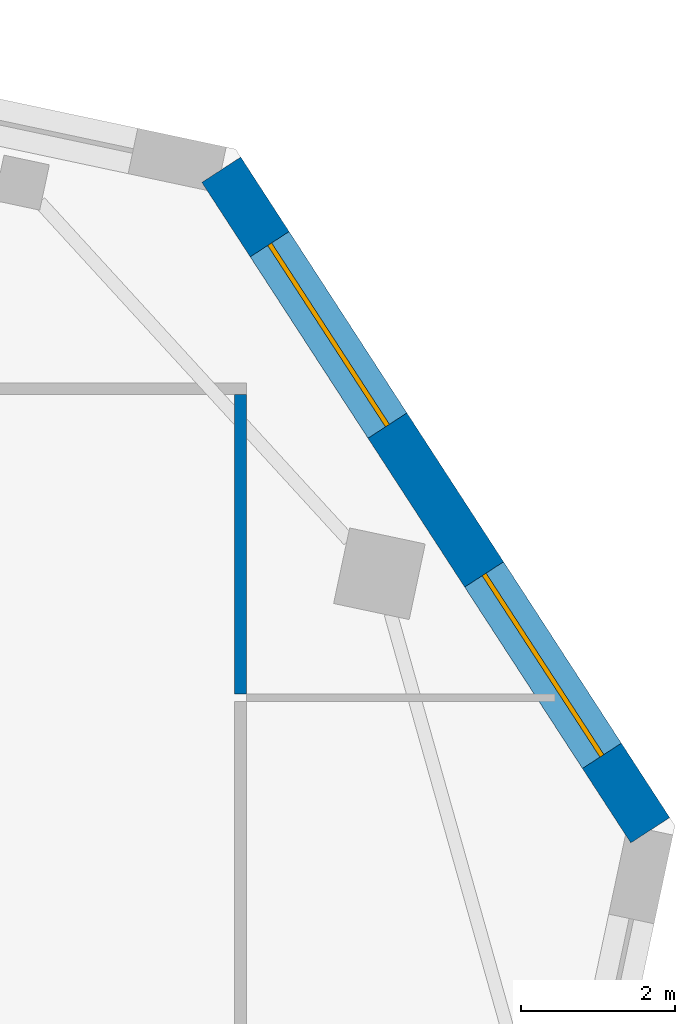
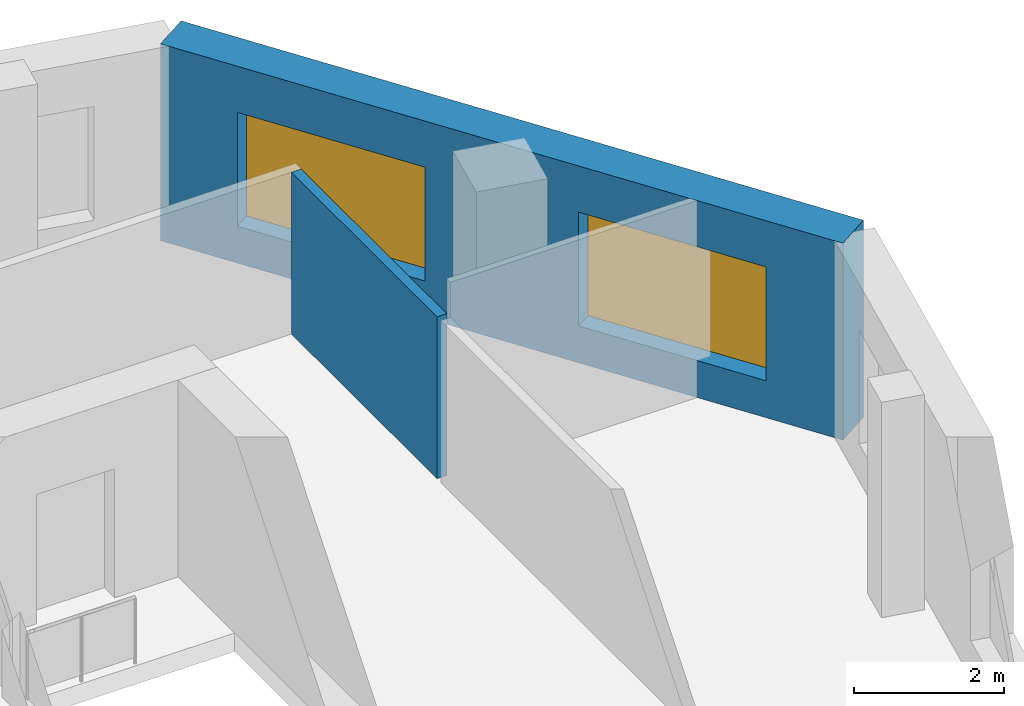
# One storey, part 5 of 6: 2 walls, 2 windows, 2 openings.
"""IFC4 building model written with IfcOpenShell, lengths in metres."""

from ifc_helpers import new_model, si_unit, direction, frame, frame_2d, origin, place, context, subcontext, project, spatial, rectangle, extrude, material, layer, layer_set, type_object, element, fill, save


model = new_model("IFC4")

# Units and contexts
model_context = context("Model", 3, precision=1e-05, world=origin(), true_north=direction((0.0, 1.0)))
body_context = subcontext(model_context, "Body", "Model", "MODEL_VIEW")
ifc_project = project(units=[si_unit("LENGTHUNIT", "METRE"), si_unit("AREAUNIT", "SQUARE_METRE"), si_unit("VOLUMEUNIT", "CUBIC_METRE"), si_unit("PLANEANGLEUNIT", "RADIAN"), si_unit("MASSUNIT", "GRAM", prefix="KILO")], contexts=[model_context])

# Site, building, storey
site_placement = place(None, origin())
site = spatial("IfcSite", under=ifc_project, at=site_placement, CompositionType="ELEMENT")
building_placement = place(site_placement, origin())
building = spatial("IfcBuilding", under=site, at=building_placement, Name="Dilmun Exchange Tower", CompositionType="ELEMENT")
storey_placement = place(building_placement, frame((0.0, 0.0, 373.10009765625)))
storey = spatial("IfcBuildingStorey", under=building, at=storey_placement, Name="Crown L87", CompositionType="ELEMENT", Elevation=373.10009765625)

# Wall
ifc_material_1 = material(Name="Fire partition EI 60 150 gypsum")
ifc_layer_1 = layer(ifc_material_1, 0.14990234375)
ifc_layer_set_1 = layer_set([ifc_layer_1], Name="Fire partition EI 60 150 gypsum")
wall_type_1 = type_object("IfcWallType", Name="Fire partition EI 60 150 gypsum", PredefinedType="PARTITIONING", material=ifc_layer_set_1)
wall_1_placement = place(storey_placement, frame((16.0, 12.050048828125, 0.0), z_axis=(0.0, 0.0, 1.0), x_axis=(0.0, 1.0, 0.0)))
element("IfcWall", 1, at=wall_1_placement, inside=storey, type_object=wall_type_1, Name="Crown L87 partition", PredefinedType="PARTITIONING", context=body_context, shape_type="SweptSolid", body=[
    extrude(rectangle(XDim=3.875, YDim=0.14990234375, at=frame_2d((1.9375, 0.0))), origin(), (0.0, 0.0, 1.0), 2.6298828125),
])

# Wall, openings, windows
ifc_material_2 = material(Name="Precast concrete C50/60", Category="concrete")
ifc_layer_2 = layer(ifc_material_2, 0.60009765625)
ifc_layer_set_2 = layer_set([ifc_layer_2], Name="Precast concrete C50/60")
wall_type_2 = type_object("IfcWallType", Name="Precast stone-clad wall 600", PredefinedType="STANDARD", material=ifc_layer_set_2)
wall_2_placement = place(storey_placement, frame((21.30419921875, 10.286376953125, 0.0), z_axis=(0.0, 0.0, 1.0), x_axis=(-0.544646568575, 0.838665675546, 0.0)))
wall_2 = element("IfcWall", 2, at=wall_2_placement, inside=storey, type_object=wall_type_2, Name="Facade wall Crown L87-02", PredefinedType="STANDARD", context=body_context, shape_type="SweptSolid", body=[
    extrude(rectangle(XDim=10.195068359375, YDim=0.60009765625, at=frame_2d((5.09765625, 0.0))), origin(), (0.0, 0.0, 1.0), 3.199951171875),
])
opening_1_placement = place(wall_2_placement, frame((1.148681640625, 0.0, 0.60009765625)))
opening_1 = element("IfcOpeningElement", 3, at=opening_1_placement, cuts=wall_2, Name="Opening LV280-185", PredefinedType="OPENING", context=body_context, shape_type="SweptSolid", body=[
    extrude(rectangle(XDim=2.800048828125, YDim=1.85009765625, at=frame_2d((1.39990234375, 0.925048828125))), frame((0.0, 0.31005859375, 0.0), z_axis=(0.0, -1.0, 0.0), x_axis=(1.0, 0.0, 0.0)), (0.0, 0.0, 1.0), 0.6201171875),
])
opening_2_placement = place(wall_2_placement, frame((6.246337890625, 0.0, 0.60009765625)))
opening_2 = element("IfcOpeningElement", 4, at=opening_2_placement, cuts=wall_2, Name="Opening LV280-185", PredefinedType="OPENING", context=body_context, shape_type="SweptSolid", body=[
    extrude(rectangle(XDim=2.800048828125, YDim=1.85009765625, at=frame_2d((1.39990234375, 0.925048828125))), frame((0.0, 0.31005859375, 0.0), z_axis=(0.0, -1.0, 0.0), x_axis=(1.0, 0.0, 0.0)), (0.0, 0.0, 1.0), 0.6201171875),
])
ifc_material_3 = material(Name="Anodised aluminium louvre blades with sand trap", Category="aluminium")
window_type = type_object("IfcWindowType", Name="Plant louvre 2800 x 1850", PartitioningType="SINGLE_PANEL", PredefinedType="USERDEFINED", material=ifc_material_3)
window_1_placement = place(opening_1_placement, origin())
window_1 = element("IfcWindow", 5, at=window_1_placement, inside=storey, type_object=window_type, Name="Plant louvre 3.1", ObjectType="LOUVRE", OverallHeight=1.85009765625, OverallWidth=2.800048828125, PartitioningType="SINGLE_PANEL", PredefinedType="USERDEFINED", context=body_context, shape_type="SweptSolid", body=[
    extrude(rectangle(XDim=2.800048828125, YDim=1.85009765625, at=frame_2d((1.39990234375, 0.925048828125))), frame((0.0, 0.030029296875, 0.0), z_axis=(0.0, -1.0, 0.0), x_axis=(1.0, 0.0, 0.0)), (0.0, 0.0, 1.0), 0.06005859375),
])
fill(opening_1, window_1)
window_2_placement = place(opening_2_placement, origin())
window_2 = element("IfcWindow", 6, at=window_2_placement, inside=storey, type_object=window_type, Name="Plant louvre 3.2", ObjectType="LOUVRE", OverallHeight=1.85009765625, OverallWidth=2.800048828125, PartitioningType="SINGLE_PANEL", PredefinedType="USERDEFINED", context=body_context, shape_type="SweptSolid", body=[
    extrude(rectangle(XDim=2.800048828125, YDim=1.85009765625, at=frame_2d((1.39990234375, 0.925048828125))), frame((0.0, 0.030029296875, 0.0), z_axis=(0.0, -1.0, 0.0), x_axis=(1.0, 0.0, 0.0)), (0.0, 0.0, 1.0), 0.06005859375),
])
fill(opening_2, window_2)

save(model, "model.ifc")
